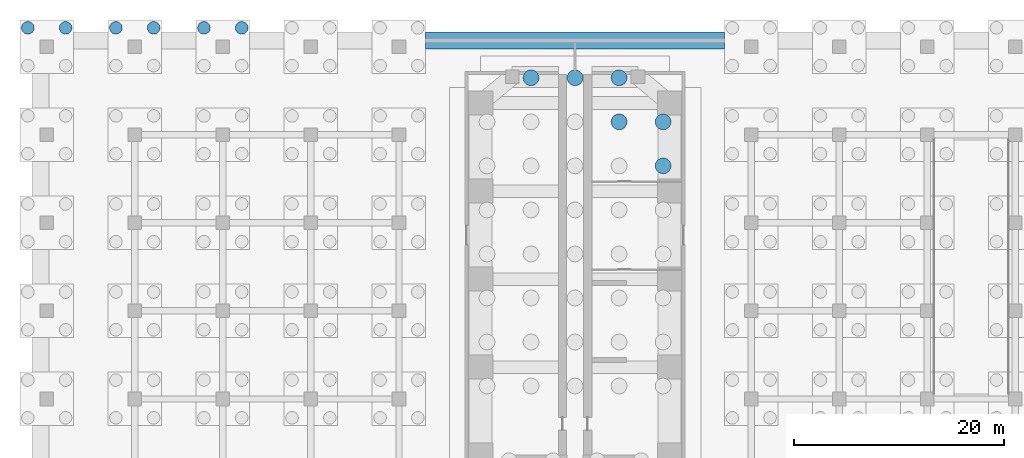
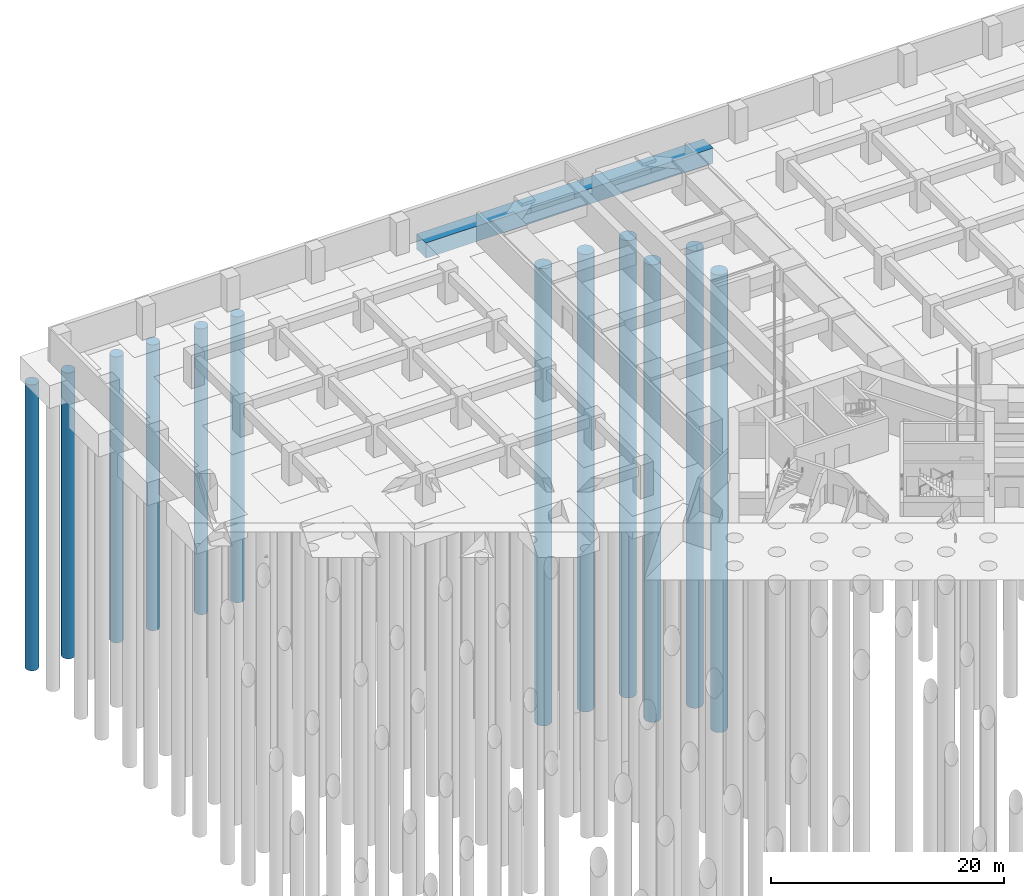
# One storey, part 40 of 73: 12 piles, 1 footing.
"""IFC4 building model written with IfcOpenShell, lengths in metres."""

from ifc_helpers import new_model, si_unit, direction, frame, origin, origin_2d, place, context, subcontext, project, spatial, polyline, circle, outline, extrude, material, material_profile, profile_set, type_object, element, save


model = new_model("IFC4")

# Units and contexts
model_context = context("Model", 3, precision=1e-05, world=origin(), true_north=direction((0.0, 1.0)))
body_context = subcontext(model_context, "Body", "Model", "MODEL_VIEW")
ifc_project = project(units=[si_unit("LENGTHUNIT", "METRE"), si_unit("AREAUNIT", "SQUARE_METRE"), si_unit("VOLUMEUNIT", "CUBIC_METRE"), si_unit("PLANEANGLEUNIT", "RADIAN"), si_unit("MASSUNIT", "GRAM", prefix="KILO")], contexts=[model_context])

# Site, building, storey
site_placement = place(None, origin())
site = spatial("IfcSite", under=ifc_project, at=site_placement, CompositionType="ELEMENT")
building_placement = place(site_placement, origin())
building = spatial("IfcBuilding", under=site, at=building_placement, Name="Impinga Residences", CompositionType="ELEMENT")
storey_placement = place(building_placement, frame((0.0, 0.0, -10.5)))
storey = spatial("IfcBuildingStorey", under=building, at=storey_placement, Name="B3", CompositionType="ELEMENT", Elevation=-10.5)

# Piles
ifc_material_1 = material(Name="Concrete C35/45", Category="concrete")
ifc_material_profile_1 = material_profile(ifc_material_1, circle(Radius=0.75, at=origin_2d()), Name="D1500")
ifc_profile_set_1 = profile_set([ifc_material_profile_1], Name="Concrete C35/45")
pile_type_1 = type_object("IfcPileType", Name="BP1 bored pile D1500", PredefinedType="BORED", material=ifc_profile_set_1)
pile_1_placement = place(storey_placement, frame((8.39990234375, 39.031494140625, -4.0), z_axis=(0.0, 0.0, -1.0), x_axis=(1.0, 0.0, 0.0)))
element("IfcPile", 1, at=pile_1_placement, inside=storey, type_object=pile_type_1, Name="Raft pile BP1-143", PredefinedType="BORED", context=body_context, shape_type="SweptSolid", body=[
    extrude(outline(polyline([(0.75, 0.0), (0.746337890625, 0.073486328125), (0.735595703125, 0.146240234375), (0.7177734375, 0.2177734375), (0.69287109375, 0.287109375), (0.661376953125, 0.353515625), (0.62353515625, 0.416748046875), (0.579833984375, 0.475830078125), (0.5302734375, 0.5302734375), (0.475830078125, 0.579833984375), (0.416748046875, 0.62353515625), (0.353515625, 0.661376953125), (0.287109375, 0.69287109375), (0.2177734375, 0.7177734375), (0.146240234375, 0.735595703125), (0.073486328125, 0.746337890625), (0.0, 0.75), (-0.073486328125, 0.746337890625), (-0.146240234375, 0.735595703125), (-0.2177734375, 0.7177734375), (-0.287109375, 0.69287109375), (-0.353515625, 0.661376953125), (-0.416748046875, 0.62353515625), (-0.475830078125, 0.579833984375), (-0.5302734375, 0.5302734375), (-0.579833984375, 0.475830078125), (-0.62353515625, 0.416748046875), (-0.661376953125, 0.353515625), (-0.69287109375, 0.287109375), (-0.7177734375, 0.2177734375), (-0.735595703125, 0.146240234375), (-0.746337890625, 0.073486328125), (-0.75, 0.0), (-0.746337890625, -0.073486328125), (-0.735595703125, -0.146240234375), (-0.7177734375, -0.2177734375), (-0.69287109375, -0.287109375), (-0.661376953125, -0.353515625), (-0.62353515625, -0.416748046875), (-0.579833984375, -0.475830078125), (-0.5302734375, -0.5302734375), (-0.475830078125, -0.579833984375), (-0.416748046875, -0.62353515625), (-0.353515625, -0.661376953125), (-0.287109375, -0.69287109375), (-0.2177734375, -0.7177734375), (-0.146240234375, -0.735595703125), (-0.073486328125, -0.746337890625), (0.0, -0.75), (0.073486328125, -0.746337890625), (0.146240234375, -0.735595703125), (0.2177734375, -0.7177734375), (0.287109375, -0.69287109375), (0.353515625, -0.661376953125), (0.416748046875, -0.62353515625), (0.475830078125, -0.579833984375), (0.5302734375, -0.5302734375), (0.579833984375, -0.475830078125), (0.62353515625, -0.416748046875), (0.661376953125, -0.353515625), (0.69287109375, -0.287109375), (0.7177734375, -0.2177734375), (0.735595703125, -0.146240234375), (0.746337890625, -0.073486328125), (0.75, 0.0)])), origin(), (0.0, 0.0, 1.0), 48.0),
])
pile_2_placement = place(storey_placement, frame((4.199951171875, 43.2314453125, -4.0), z_axis=(0.0, 0.0, -1.0), x_axis=(1.0, 0.0, 0.0)))
element("IfcPile", 2, at=pile_2_placement, inside=storey, type_object=pile_type_1, Name="Raft pile BP1-147", PredefinedType="BORED", context=body_context, shape_type="SweptSolid", body=[
    extrude(outline(polyline([(0.75, 0.0), (0.746337890625, 0.073486328125), (0.735595703125, 0.146240234375), (0.7177734375, 0.2177734375), (0.69287109375, 0.287109375), (0.661376953125, 0.353515625), (0.62353515625, 0.416748046875), (0.579833984375, 0.475830078125), (0.5302734375, 0.5302734375), (0.475830078125, 0.579833984375), (0.416748046875, 0.62353515625), (0.353515625, 0.661376953125), (0.287109375, 0.69287109375), (0.2177734375, 0.7177734375), (0.146240234375, 0.735595703125), (0.073486328125, 0.746337890625), (0.0, 0.75), (-0.073486328125, 0.746337890625), (-0.146240234375, 0.735595703125), (-0.2177734375, 0.7177734375), (-0.287109375, 0.69287109375), (-0.353515625, 0.661376953125), (-0.416748046875, 0.62353515625), (-0.475830078125, 0.579833984375), (-0.5302734375, 0.5302734375), (-0.579833984375, 0.475830078125), (-0.62353515625, 0.416748046875), (-0.661376953125, 0.353515625), (-0.69287109375, 0.287109375), (-0.7177734375, 0.2177734375), (-0.735595703125, 0.146240234375), (-0.746337890625, 0.073486328125), (-0.75, 0.0), (-0.746337890625, -0.073486328125), (-0.735595703125, -0.146240234375), (-0.7177734375, -0.2177734375), (-0.69287109375, -0.287109375), (-0.661376953125, -0.353515625), (-0.62353515625, -0.416748046875), (-0.579833984375, -0.475830078125), (-0.5302734375, -0.5302734375), (-0.475830078125, -0.579833984375), (-0.416748046875, -0.62353515625), (-0.353515625, -0.661376953125), (-0.287109375, -0.69287109375), (-0.2177734375, -0.7177734375), (-0.146240234375, -0.735595703125), (-0.073486328125, -0.746337890625), (0.0, -0.75), (0.073486328125, -0.746337890625), (0.146240234375, -0.735595703125), (0.2177734375, -0.7177734375), (0.287109375, -0.69287109375), (0.353515625, -0.661376953125), (0.416748046875, -0.62353515625), (0.475830078125, -0.579833984375), (0.5302734375, -0.5302734375), (0.579833984375, -0.475830078125), (0.62353515625, -0.416748046875), (0.661376953125, -0.353515625), (0.69287109375, -0.287109375), (0.7177734375, -0.2177734375), (0.735595703125, -0.146240234375), (0.746337890625, -0.073486328125), (0.75, 0.0)])), origin(), (0.0, 0.0, 1.0), 48.0),
])
pile_3_placement = place(storey_placement, frame((8.39990234375, 43.2314453125, -4.0), z_axis=(0.0, 0.0, -1.0), x_axis=(1.0, 0.0, 0.0)))
element("IfcPile", 3, at=pile_3_placement, inside=storey, type_object=pile_type_1, Name="Raft pile BP1-148", PredefinedType="BORED", context=body_context, shape_type="SweptSolid", body=[
    extrude(outline(polyline([(0.75, 0.0), (0.746337890625, 0.073486328125), (0.735595703125, 0.146240234375), (0.7177734375, 0.2177734375), (0.69287109375, 0.287109375), (0.661376953125, 0.353515625), (0.62353515625, 0.416748046875), (0.579833984375, 0.475830078125), (0.5302734375, 0.5302734375), (0.475830078125, 0.579833984375), (0.416748046875, 0.62353515625), (0.353515625, 0.661376953125), (0.287109375, 0.69287109375), (0.2177734375, 0.7177734375), (0.146240234375, 0.735595703125), (0.073486328125, 0.746337890625), (0.0, 0.75), (-0.073486328125, 0.746337890625), (-0.146240234375, 0.735595703125), (-0.2177734375, 0.7177734375), (-0.287109375, 0.69287109375), (-0.353515625, 0.661376953125), (-0.416748046875, 0.62353515625), (-0.475830078125, 0.579833984375), (-0.5302734375, 0.5302734375), (-0.579833984375, 0.475830078125), (-0.62353515625, 0.416748046875), (-0.661376953125, 0.353515625), (-0.69287109375, 0.287109375), (-0.7177734375, 0.2177734375), (-0.735595703125, 0.146240234375), (-0.746337890625, 0.073486328125), (-0.75, 0.0), (-0.746337890625, -0.073486328125), (-0.735595703125, -0.146240234375), (-0.7177734375, -0.2177734375), (-0.69287109375, -0.287109375), (-0.661376953125, -0.353515625), (-0.62353515625, -0.416748046875), (-0.579833984375, -0.475830078125), (-0.5302734375, -0.5302734375), (-0.475830078125, -0.579833984375), (-0.416748046875, -0.62353515625), (-0.353515625, -0.661376953125), (-0.287109375, -0.69287109375), (-0.2177734375, -0.7177734375), (-0.146240234375, -0.735595703125), (-0.073486328125, -0.746337890625), (0.0, -0.75), (0.073486328125, -0.746337890625), (0.146240234375, -0.735595703125), (0.2177734375, -0.7177734375), (0.287109375, -0.69287109375), (0.353515625, -0.661376953125), (0.416748046875, -0.62353515625), (0.475830078125, -0.579833984375), (0.5302734375, -0.5302734375), (0.579833984375, -0.475830078125), (0.62353515625, -0.416748046875), (0.661376953125, -0.353515625), (0.69287109375, -0.287109375), (0.7177734375, -0.2177734375), (0.735595703125, -0.146240234375), (0.746337890625, -0.073486328125), (0.75, 0.0)])), origin(), (0.0, 0.0, 1.0), 48.0),
])
pile_4_placement = place(storey_placement, frame((-4.199951171875, 47.431640625, -4.0), z_axis=(0.0, 0.0, -1.0), x_axis=(1.0, 0.0, 0.0)))
element("IfcPile", 4, at=pile_4_placement, inside=storey, type_object=pile_type_1, Name="Raft pile BP1-149", PredefinedType="BORED", context=body_context, shape_type="SweptSolid", body=[
    extrude(outline(polyline([(0.75, 0.0), (0.746337890625, 0.073486328125), (0.735595703125, 0.146240234375), (0.7177734375, 0.2177734375), (0.69287109375, 0.287109375), (0.661376953125, 0.353515625), (0.62353515625, 0.416748046875), (0.579833984375, 0.475830078125), (0.5302734375, 0.5302734375), (0.475830078125, 0.579833984375), (0.416748046875, 0.62353515625), (0.353515625, 0.661376953125), (0.287109375, 0.69287109375), (0.2177734375, 0.7177734375), (0.146240234375, 0.735595703125), (0.073486328125, 0.746337890625), (0.0, 0.75), (-0.073486328125, 0.746337890625), (-0.146240234375, 0.735595703125), (-0.2177734375, 0.7177734375), (-0.287109375, 0.69287109375), (-0.353515625, 0.661376953125), (-0.416748046875, 0.62353515625), (-0.475830078125, 0.579833984375), (-0.5302734375, 0.5302734375), (-0.579833984375, 0.475830078125), (-0.62353515625, 0.416748046875), (-0.661376953125, 0.353515625), (-0.69287109375, 0.287109375), (-0.7177734375, 0.2177734375), (-0.735595703125, 0.146240234375), (-0.746337890625, 0.073486328125), (-0.75, 0.0), (-0.746337890625, -0.073486328125), (-0.735595703125, -0.146240234375), (-0.7177734375, -0.2177734375), (-0.69287109375, -0.287109375), (-0.661376953125, -0.353515625), (-0.62353515625, -0.416748046875), (-0.579833984375, -0.475830078125), (-0.5302734375, -0.5302734375), (-0.475830078125, -0.579833984375), (-0.416748046875, -0.62353515625), (-0.353515625, -0.661376953125), (-0.287109375, -0.69287109375), (-0.2177734375, -0.7177734375), (-0.146240234375, -0.735595703125), (-0.073486328125, -0.746337890625), (0.0, -0.75), (0.073486328125, -0.746337890625), (0.146240234375, -0.735595703125), (0.2177734375, -0.7177734375), (0.287109375, -0.69287109375), (0.353515625, -0.661376953125), (0.416748046875, -0.62353515625), (0.475830078125, -0.579833984375), (0.5302734375, -0.5302734375), (0.579833984375, -0.475830078125), (0.62353515625, -0.416748046875), (0.661376953125, -0.353515625), (0.69287109375, -0.287109375), (0.7177734375, -0.2177734375), (0.735595703125, -0.146240234375), (0.746337890625, -0.073486328125), (0.75, 0.0)])), origin(), (0.0, 0.0, 1.0), 48.0),
])
pile_5_placement = place(storey_placement, frame((0.0, 47.431640625, -4.0), z_axis=(0.0, 0.0, -1.0), x_axis=(1.0, 0.0, 0.0)))
element("IfcPile", 5, at=pile_5_placement, inside=storey, type_object=pile_type_1, Name="Raft pile BP1-150", PredefinedType="BORED", context=body_context, shape_type="SweptSolid", body=[
    extrude(outline(polyline([(0.75, 0.0), (0.746337890625, 0.073486328125), (0.735595703125, 0.146240234375), (0.7177734375, 0.2177734375), (0.69287109375, 0.287109375), (0.661376953125, 0.353515625), (0.62353515625, 0.416748046875), (0.579833984375, 0.475830078125), (0.5302734375, 0.5302734375), (0.475830078125, 0.579833984375), (0.416748046875, 0.62353515625), (0.353515625, 0.661376953125), (0.287109375, 0.69287109375), (0.2177734375, 0.7177734375), (0.146240234375, 0.735595703125), (0.073486328125, 0.746337890625), (0.0, 0.75), (-0.073486328125, 0.746337890625), (-0.146240234375, 0.735595703125), (-0.2177734375, 0.7177734375), (-0.287109375, 0.69287109375), (-0.353515625, 0.661376953125), (-0.416748046875, 0.62353515625), (-0.475830078125, 0.579833984375), (-0.5302734375, 0.5302734375), (-0.579833984375, 0.475830078125), (-0.62353515625, 0.416748046875), (-0.661376953125, 0.353515625), (-0.69287109375, 0.287109375), (-0.7177734375, 0.2177734375), (-0.735595703125, 0.146240234375), (-0.746337890625, 0.073486328125), (-0.75, 0.0), (-0.746337890625, -0.073486328125), (-0.735595703125, -0.146240234375), (-0.7177734375, -0.2177734375), (-0.69287109375, -0.287109375), (-0.661376953125, -0.353515625), (-0.62353515625, -0.416748046875), (-0.579833984375, -0.475830078125), (-0.5302734375, -0.5302734375), (-0.475830078125, -0.579833984375), (-0.416748046875, -0.62353515625), (-0.353515625, -0.661376953125), (-0.287109375, -0.69287109375), (-0.2177734375, -0.7177734375), (-0.146240234375, -0.735595703125), (-0.073486328125, -0.746337890625), (0.0, -0.75), (0.073486328125, -0.746337890625), (0.146240234375, -0.735595703125), (0.2177734375, -0.7177734375), (0.287109375, -0.69287109375), (0.353515625, -0.661376953125), (0.416748046875, -0.62353515625), (0.475830078125, -0.579833984375), (0.5302734375, -0.5302734375), (0.579833984375, -0.475830078125), (0.62353515625, -0.416748046875), (0.661376953125, -0.353515625), (0.69287109375, -0.287109375), (0.7177734375, -0.2177734375), (0.735595703125, -0.146240234375), (0.746337890625, -0.073486328125), (0.75, 0.0)])), origin(), (0.0, 0.0, 1.0), 48.0),
])
pile_6_placement = place(storey_placement, frame((4.199951171875, 47.431640625, -4.0), z_axis=(0.0, 0.0, -1.0), x_axis=(1.0, 0.0, 0.0)))
element("IfcPile", 6, at=pile_6_placement, inside=storey, type_object=pile_type_1, Name="Raft pile BP1-151", PredefinedType="BORED", context=body_context, shape_type="SweptSolid", body=[
    extrude(outline(polyline([(0.75, 0.0), (0.746337890625, 0.073486328125), (0.735595703125, 0.146240234375), (0.7177734375, 0.2177734375), (0.69287109375, 0.287109375), (0.661376953125, 0.353515625), (0.62353515625, 0.416748046875), (0.579833984375, 0.475830078125), (0.5302734375, 0.5302734375), (0.475830078125, 0.579833984375), (0.416748046875, 0.62353515625), (0.353515625, 0.661376953125), (0.287109375, 0.69287109375), (0.2177734375, 0.7177734375), (0.146240234375, 0.735595703125), (0.073486328125, 0.746337890625), (0.0, 0.75), (-0.073486328125, 0.746337890625), (-0.146240234375, 0.735595703125), (-0.2177734375, 0.7177734375), (-0.287109375, 0.69287109375), (-0.353515625, 0.661376953125), (-0.416748046875, 0.62353515625), (-0.475830078125, 0.579833984375), (-0.5302734375, 0.5302734375), (-0.579833984375, 0.475830078125), (-0.62353515625, 0.416748046875), (-0.661376953125, 0.353515625), (-0.69287109375, 0.287109375), (-0.7177734375, 0.2177734375), (-0.735595703125, 0.146240234375), (-0.746337890625, 0.073486328125), (-0.75, 0.0), (-0.746337890625, -0.073486328125), (-0.735595703125, -0.146240234375), (-0.7177734375, -0.2177734375), (-0.69287109375, -0.287109375), (-0.661376953125, -0.353515625), (-0.62353515625, -0.416748046875), (-0.579833984375, -0.475830078125), (-0.5302734375, -0.5302734375), (-0.475830078125, -0.579833984375), (-0.416748046875, -0.62353515625), (-0.353515625, -0.661376953125), (-0.287109375, -0.69287109375), (-0.2177734375, -0.7177734375), (-0.146240234375, -0.735595703125), (-0.073486328125, -0.746337890625), (0.0, -0.75), (0.073486328125, -0.746337890625), (0.146240234375, -0.735595703125), (0.2177734375, -0.7177734375), (0.287109375, -0.69287109375), (0.353515625, -0.661376953125), (0.416748046875, -0.62353515625), (0.475830078125, -0.579833984375), (0.5302734375, -0.5302734375), (0.579833984375, -0.475830078125), (0.62353515625, -0.416748046875), (0.661376953125, -0.353515625), (0.69287109375, -0.287109375), (0.7177734375, -0.2177734375), (0.735595703125, -0.146240234375), (0.746337890625, -0.073486328125), (0.75, 0.0)])), origin(), (0.0, 0.0, 1.0), 48.0),
])
ifc_material_profile_2 = material_profile(ifc_material_1, circle(Radius=0.60009765625, at=origin_2d()), Name="D1200")
ifc_profile_set_2 = profile_set([ifc_material_profile_2], Name="Concrete C35/45")
pile_type_2 = type_object("IfcPileType", Name="BP2 bored pile D1200", PredefinedType="BORED", material=ifc_profile_set_2)
pile_7_placement = place(storey_placement, frame((-48.60009765625, 52.199951171875, -2.39990234375), z_axis=(0.0, 0.0, -1.0), x_axis=(1.0, 0.0, 0.0)))
element("IfcPile", 7, at=pile_7_placement, inside=storey, type_object=pile_type_2, Name="Cap pile BP2 1/M-3", PredefinedType="BORED", context=body_context, shape_type="SweptSolid", body=[
    extrude(outline(polyline([(0.60009765625, 0.0), (0.59716796875, 0.058837890625), (0.58837890625, 0.116943359375), (0.57421875, 0.174072265625), (0.554443359375, 0.2294921875), (0.529052734375, 0.282958984375), (0.498779296875, 0.333251953125), (0.4638671875, 0.380615234375), (0.42431640625, 0.42431640625), (0.380615234375, 0.4638671875), (0.333251953125, 0.498779296875), (0.282958984375, 0.529052734375), (0.2294921875, 0.554443359375), (0.174072265625, 0.57421875), (0.116943359375, 0.58837890625), (0.058837890625, 0.59716796875), (0.0, 0.60009765625), (-0.058837890625, 0.59716796875), (-0.116943359375, 0.58837890625), (-0.174072265625, 0.57421875), (-0.2294921875, 0.554443359375), (-0.282958984375, 0.529052734375), (-0.333251953125, 0.498779296875), (-0.380615234375, 0.4638671875), (-0.42431640625, 0.42431640625), (-0.4638671875, 0.380615234375), (-0.498779296875, 0.333251953125), (-0.529052734375, 0.282958984375), (-0.554443359375, 0.2294921875), (-0.57421875, 0.174072265625), (-0.58837890625, 0.116943359375), (-0.59716796875, 0.058837890625), (-0.60009765625, 0.0), (-0.59716796875, -0.058837890625), (-0.58837890625, -0.116943359375), (-0.57421875, -0.174072265625), (-0.554443359375, -0.2294921875), (-0.529052734375, -0.282958984375), (-0.498779296875, -0.333251953125), (-0.4638671875, -0.380615234375), (-0.42431640625, -0.42431640625), (-0.380615234375, -0.4638671875), (-0.333251953125, -0.498779296875), (-0.282958984375, -0.529052734375), (-0.2294921875, -0.554443359375), (-0.174072265625, -0.57421875), (-0.116943359375, -0.58837890625), (-0.058837890625, -0.59716796875), (0.0, -0.60009765625), (0.058837890625, -0.59716796875), (0.116943359375, -0.58837890625), (0.174072265625, -0.57421875), (0.2294921875, -0.554443359375), (0.282958984375, -0.529052734375), (0.333251953125, -0.498779296875), (0.380615234375, -0.4638671875), (0.42431640625, -0.42431640625), (0.4638671875, -0.380615234375), (0.498779296875, -0.333251953125), (0.529052734375, -0.282958984375), (0.554443359375, -0.2294921875), (0.57421875, -0.174072265625), (0.58837890625, -0.116943359375), (0.59716796875, -0.058837890625), (0.60009765625, 0.0)])), origin(), (0.0, 0.0, 1.0), 30.0),
])
pile_8_placement = place(storey_placement, frame((-52.199951171875, 52.199951171875, -2.39990234375), z_axis=(0.0, 0.0, -1.0), x_axis=(1.0, 0.0, 0.0)))
element("IfcPile", 8, at=pile_8_placement, inside=storey, type_object=pile_type_2, Name="Cap pile BP2 1/M-4", PredefinedType="BORED", context=body_context, shape_type="SweptSolid", body=[
    extrude(outline(polyline([(0.60009765625, 0.0), (0.59716796875, 0.058837890625), (0.58837890625, 0.116943359375), (0.57421875, 0.174072265625), (0.554443359375, 0.2294921875), (0.529052734375, 0.282958984375), (0.498779296875, 0.333251953125), (0.4638671875, 0.380615234375), (0.42431640625, 0.42431640625), (0.380615234375, 0.4638671875), (0.333251953125, 0.498779296875), (0.282958984375, 0.529052734375), (0.2294921875, 0.554443359375), (0.174072265625, 0.57421875), (0.116943359375, 0.58837890625), (0.058837890625, 0.59716796875), (0.0, 0.60009765625), (-0.058837890625, 0.59716796875), (-0.116943359375, 0.58837890625), (-0.174072265625, 0.57421875), (-0.2294921875, 0.554443359375), (-0.282958984375, 0.529052734375), (-0.333251953125, 0.498779296875), (-0.380615234375, 0.4638671875), (-0.42431640625, 0.42431640625), (-0.4638671875, 0.380615234375), (-0.498779296875, 0.333251953125), (-0.529052734375, 0.282958984375), (-0.554443359375, 0.2294921875), (-0.57421875, 0.174072265625), (-0.58837890625, 0.116943359375), (-0.59716796875, 0.058837890625), (-0.60009765625, 0.0), (-0.59716796875, -0.058837890625), (-0.58837890625, -0.116943359375), (-0.57421875, -0.174072265625), (-0.554443359375, -0.2294921875), (-0.529052734375, -0.282958984375), (-0.498779296875, -0.333251953125), (-0.4638671875, -0.380615234375), (-0.42431640625, -0.42431640625), (-0.380615234375, -0.4638671875), (-0.333251953125, -0.498779296875), (-0.282958984375, -0.529052734375), (-0.2294921875, -0.554443359375), (-0.174072265625, -0.57421875), (-0.116943359375, -0.58837890625), (-0.058837890625, -0.59716796875), (0.0, -0.60009765625), (0.058837890625, -0.59716796875), (0.116943359375, -0.58837890625), (0.174072265625, -0.57421875), (0.2294921875, -0.554443359375), (0.282958984375, -0.529052734375), (0.333251953125, -0.498779296875), (0.380615234375, -0.4638671875), (0.42431640625, -0.42431640625), (0.4638671875, -0.380615234375), (0.498779296875, -0.333251953125), (0.529052734375, -0.282958984375), (0.554443359375, -0.2294921875), (0.57421875, -0.174072265625), (0.58837890625, -0.116943359375), (0.59716796875, -0.058837890625), (0.60009765625, 0.0)])), origin(), (0.0, 0.0, 1.0), 30.0),
])
pile_9_placement = place(storey_placement, frame((-40.199951171875, 52.199951171875, -2.39990234375), z_axis=(0.0, 0.0, -1.0), x_axis=(1.0, 0.0, 0.0)))
element("IfcPile", 9, at=pile_9_placement, inside=storey, type_object=pile_type_2, Name="Cap pile BP2 2/M-3", PredefinedType="BORED", context=body_context, shape_type="SweptSolid", body=[
    extrude(outline(polyline([(0.60009765625, 0.0), (0.59716796875, 0.058837890625), (0.58837890625, 0.116943359375), (0.57421875, 0.174072265625), (0.554443359375, 0.2294921875), (0.529052734375, 0.282958984375), (0.498779296875, 0.333251953125), (0.4638671875, 0.380615234375), (0.42431640625, 0.42431640625), (0.380615234375, 0.4638671875), (0.333251953125, 0.498779296875), (0.282958984375, 0.529052734375), (0.2294921875, 0.554443359375), (0.174072265625, 0.57421875), (0.116943359375, 0.58837890625), (0.058837890625, 0.59716796875), (0.0, 0.60009765625), (-0.058837890625, 0.59716796875), (-0.116943359375, 0.58837890625), (-0.174072265625, 0.57421875), (-0.2294921875, 0.554443359375), (-0.282958984375, 0.529052734375), (-0.333251953125, 0.498779296875), (-0.380615234375, 0.4638671875), (-0.42431640625, 0.42431640625), (-0.4638671875, 0.380615234375), (-0.498779296875, 0.333251953125), (-0.529052734375, 0.282958984375), (-0.554443359375, 0.2294921875), (-0.57421875, 0.174072265625), (-0.58837890625, 0.116943359375), (-0.59716796875, 0.058837890625), (-0.60009765625, 0.0), (-0.59716796875, -0.058837890625), (-0.58837890625, -0.116943359375), (-0.57421875, -0.174072265625), (-0.554443359375, -0.2294921875), (-0.529052734375, -0.282958984375), (-0.498779296875, -0.333251953125), (-0.4638671875, -0.380615234375), (-0.42431640625, -0.42431640625), (-0.380615234375, -0.4638671875), (-0.333251953125, -0.498779296875), (-0.282958984375, -0.529052734375), (-0.2294921875, -0.554443359375), (-0.174072265625, -0.57421875), (-0.116943359375, -0.58837890625), (-0.058837890625, -0.59716796875), (0.0, -0.60009765625), (0.058837890625, -0.59716796875), (0.116943359375, -0.58837890625), (0.174072265625, -0.57421875), (0.2294921875, -0.554443359375), (0.282958984375, -0.529052734375), (0.333251953125, -0.498779296875), (0.380615234375, -0.4638671875), (0.42431640625, -0.42431640625), (0.4638671875, -0.380615234375), (0.498779296875, -0.333251953125), (0.529052734375, -0.282958984375), (0.554443359375, -0.2294921875), (0.57421875, -0.174072265625), (0.58837890625, -0.116943359375), (0.59716796875, -0.058837890625), (0.60009765625, 0.0)])), origin(), (0.0, 0.0, 1.0), 30.0),
])
pile_10_placement = place(storey_placement, frame((-43.800048828125, 52.199951171875, -2.39990234375), z_axis=(0.0, 0.0, -1.0), x_axis=(1.0, 0.0, 0.0)))
element("IfcPile", 10, at=pile_10_placement, inside=storey, type_object=pile_type_2, Name="Cap pile BP2 2/M-4", PredefinedType="BORED", context=body_context, shape_type="SweptSolid", body=[
    extrude(outline(polyline([(0.60009765625, 0.0), (0.59716796875, 0.058837890625), (0.58837890625, 0.116943359375), (0.57421875, 0.174072265625), (0.554443359375, 0.2294921875), (0.529052734375, 0.282958984375), (0.498779296875, 0.333251953125), (0.4638671875, 0.380615234375), (0.42431640625, 0.42431640625), (0.380615234375, 0.4638671875), (0.333251953125, 0.498779296875), (0.282958984375, 0.529052734375), (0.2294921875, 0.554443359375), (0.174072265625, 0.57421875), (0.116943359375, 0.58837890625), (0.058837890625, 0.59716796875), (0.0, 0.60009765625), (-0.058837890625, 0.59716796875), (-0.116943359375, 0.58837890625), (-0.174072265625, 0.57421875), (-0.2294921875, 0.554443359375), (-0.282958984375, 0.529052734375), (-0.333251953125, 0.498779296875), (-0.380615234375, 0.4638671875), (-0.42431640625, 0.42431640625), (-0.4638671875, 0.380615234375), (-0.498779296875, 0.333251953125), (-0.529052734375, 0.282958984375), (-0.554443359375, 0.2294921875), (-0.57421875, 0.174072265625), (-0.58837890625, 0.116943359375), (-0.59716796875, 0.058837890625), (-0.60009765625, 0.0), (-0.59716796875, -0.058837890625), (-0.58837890625, -0.116943359375), (-0.57421875, -0.174072265625), (-0.554443359375, -0.2294921875), (-0.529052734375, -0.282958984375), (-0.498779296875, -0.333251953125), (-0.4638671875, -0.380615234375), (-0.42431640625, -0.42431640625), (-0.380615234375, -0.4638671875), (-0.333251953125, -0.498779296875), (-0.282958984375, -0.529052734375), (-0.2294921875, -0.554443359375), (-0.174072265625, -0.57421875), (-0.116943359375, -0.58837890625), (-0.058837890625, -0.59716796875), (0.0, -0.60009765625), (0.058837890625, -0.59716796875), (0.116943359375, -0.58837890625), (0.174072265625, -0.57421875), (0.2294921875, -0.554443359375), (0.282958984375, -0.529052734375), (0.333251953125, -0.498779296875), (0.380615234375, -0.4638671875), (0.42431640625, -0.42431640625), (0.4638671875, -0.380615234375), (0.498779296875, -0.333251953125), (0.529052734375, -0.282958984375), (0.554443359375, -0.2294921875), (0.57421875, -0.174072265625), (0.58837890625, -0.116943359375), (0.59716796875, -0.058837890625), (0.60009765625, 0.0)])), origin(), (0.0, 0.0, 1.0), 30.0),
])
pile_11_placement = place(storey_placement, frame((-31.800048828125, 52.199951171875, -2.39990234375), z_axis=(0.0, 0.0, -1.0), x_axis=(1.0, 0.0, 0.0)))
element("IfcPile", 11, at=pile_11_placement, inside=storey, type_object=pile_type_2, Name="Cap pile BP2 3/M-3", PredefinedType="BORED", context=body_context, shape_type="SweptSolid", body=[
    extrude(outline(polyline([(0.60009765625, 0.0), (0.59716796875, 0.058837890625), (0.58837890625, 0.116943359375), (0.57421875, 0.174072265625), (0.554443359375, 0.2294921875), (0.529052734375, 0.282958984375), (0.498779296875, 0.333251953125), (0.4638671875, 0.380615234375), (0.42431640625, 0.42431640625), (0.380615234375, 0.4638671875), (0.333251953125, 0.498779296875), (0.282958984375, 0.529052734375), (0.2294921875, 0.554443359375), (0.174072265625, 0.57421875), (0.116943359375, 0.58837890625), (0.058837890625, 0.59716796875), (0.0, 0.60009765625), (-0.058837890625, 0.59716796875), (-0.116943359375, 0.58837890625), (-0.174072265625, 0.57421875), (-0.2294921875, 0.554443359375), (-0.282958984375, 0.529052734375), (-0.333251953125, 0.498779296875), (-0.380615234375, 0.4638671875), (-0.42431640625, 0.42431640625), (-0.4638671875, 0.380615234375), (-0.498779296875, 0.333251953125), (-0.529052734375, 0.282958984375), (-0.554443359375, 0.2294921875), (-0.57421875, 0.174072265625), (-0.58837890625, 0.116943359375), (-0.59716796875, 0.058837890625), (-0.60009765625, 0.0), (-0.59716796875, -0.058837890625), (-0.58837890625, -0.116943359375), (-0.57421875, -0.174072265625), (-0.554443359375, -0.2294921875), (-0.529052734375, -0.282958984375), (-0.498779296875, -0.333251953125), (-0.4638671875, -0.380615234375), (-0.42431640625, -0.42431640625), (-0.380615234375, -0.4638671875), (-0.333251953125, -0.498779296875), (-0.282958984375, -0.529052734375), (-0.2294921875, -0.554443359375), (-0.174072265625, -0.57421875), (-0.116943359375, -0.58837890625), (-0.058837890625, -0.59716796875), (0.0, -0.60009765625), (0.058837890625, -0.59716796875), (0.116943359375, -0.58837890625), (0.174072265625, -0.57421875), (0.2294921875, -0.554443359375), (0.282958984375, -0.529052734375), (0.333251953125, -0.498779296875), (0.380615234375, -0.4638671875), (0.42431640625, -0.42431640625), (0.4638671875, -0.380615234375), (0.498779296875, -0.333251953125), (0.529052734375, -0.282958984375), (0.554443359375, -0.2294921875), (0.57421875, -0.174072265625), (0.58837890625, -0.116943359375), (0.59716796875, -0.058837890625), (0.60009765625, 0.0)])), origin(), (0.0, 0.0, 1.0), 30.0),
])
pile_12_placement = place(storey_placement, frame((-35.39990234375, 52.199951171875, -2.39990234375), z_axis=(0.0, 0.0, -1.0), x_axis=(1.0, 0.0, 0.0)))
element("IfcPile", 12, at=pile_12_placement, inside=storey, type_object=pile_type_2, Name="Cap pile BP2 3/M-4", PredefinedType="BORED", context=body_context, shape_type="SweptSolid", body=[
    extrude(outline(polyline([(0.60009765625, 0.0), (0.59716796875, 0.058837890625), (0.58837890625, 0.116943359375), (0.57421875, 0.174072265625), (0.554443359375, 0.2294921875), (0.529052734375, 0.282958984375), (0.498779296875, 0.333251953125), (0.4638671875, 0.380615234375), (0.42431640625, 0.42431640625), (0.380615234375, 0.4638671875), (0.333251953125, 0.498779296875), (0.282958984375, 0.529052734375), (0.2294921875, 0.554443359375), (0.174072265625, 0.57421875), (0.116943359375, 0.58837890625), (0.058837890625, 0.59716796875), (0.0, 0.60009765625), (-0.058837890625, 0.59716796875), (-0.116943359375, 0.58837890625), (-0.174072265625, 0.57421875), (-0.2294921875, 0.554443359375), (-0.282958984375, 0.529052734375), (-0.333251953125, 0.498779296875), (-0.380615234375, 0.4638671875), (-0.42431640625, 0.42431640625), (-0.4638671875, 0.380615234375), (-0.498779296875, 0.333251953125), (-0.529052734375, 0.282958984375), (-0.554443359375, 0.2294921875), (-0.57421875, 0.174072265625), (-0.58837890625, 0.116943359375), (-0.59716796875, 0.058837890625), (-0.60009765625, 0.0), (-0.59716796875, -0.058837890625), (-0.58837890625, -0.116943359375), (-0.57421875, -0.174072265625), (-0.554443359375, -0.2294921875), (-0.529052734375, -0.282958984375), (-0.498779296875, -0.333251953125), (-0.4638671875, -0.380615234375), (-0.42431640625, -0.42431640625), (-0.380615234375, -0.4638671875), (-0.333251953125, -0.498779296875), (-0.282958984375, -0.529052734375), (-0.2294921875, -0.554443359375), (-0.174072265625, -0.57421875), (-0.116943359375, -0.58837890625), (-0.058837890625, -0.59716796875), (0.0, -0.60009765625), (0.058837890625, -0.59716796875), (0.116943359375, -0.58837890625), (0.174072265625, -0.57421875), (0.2294921875, -0.554443359375), (0.282958984375, -0.529052734375), (0.333251953125, -0.498779296875), (0.380615234375, -0.4638671875), (0.42431640625, -0.42431640625), (0.4638671875, -0.380615234375), (0.498779296875, -0.333251953125), (0.529052734375, -0.282958984375), (0.554443359375, -0.2294921875), (0.57421875, -0.174072265625), (0.58837890625, -0.116943359375), (0.59716796875, -0.058837890625), (0.60009765625, 0.0)])), origin(), (0.0, 0.0, 1.0), 30.0),
])

# Footing
ifc_material_2 = material(Name="Concrete C45/55", Category="concrete")
footing_type = type_object("IfcFootingType", Name="SF1 strip footing 1600 wide 1600 deep", PredefinedType="STRIP_FOOTING", material=ifc_material_2)
footing_placement = place(storey_placement, frame((0.0, 0.0, -1.60009765625)))
element("IfcFooting", 13, at=footing_placement, inside=storey, type_object=footing_type, Name="Strip footing SF1 N 5", PredefinedType="STRIP_FOOTING", context=body_context, shape_type="SweptSolid", body=[
    extrude(outline(polyline([(-14.25, 50.199951171875), (-14.25, 51.800048828125), (14.25, 51.800048828125), (14.25, 50.199951171875), (-14.25, 50.199951171875)])), origin(), (0.0, 0.0, 1.0), 1.60009765625),
])

save(model, "model.ifc")
